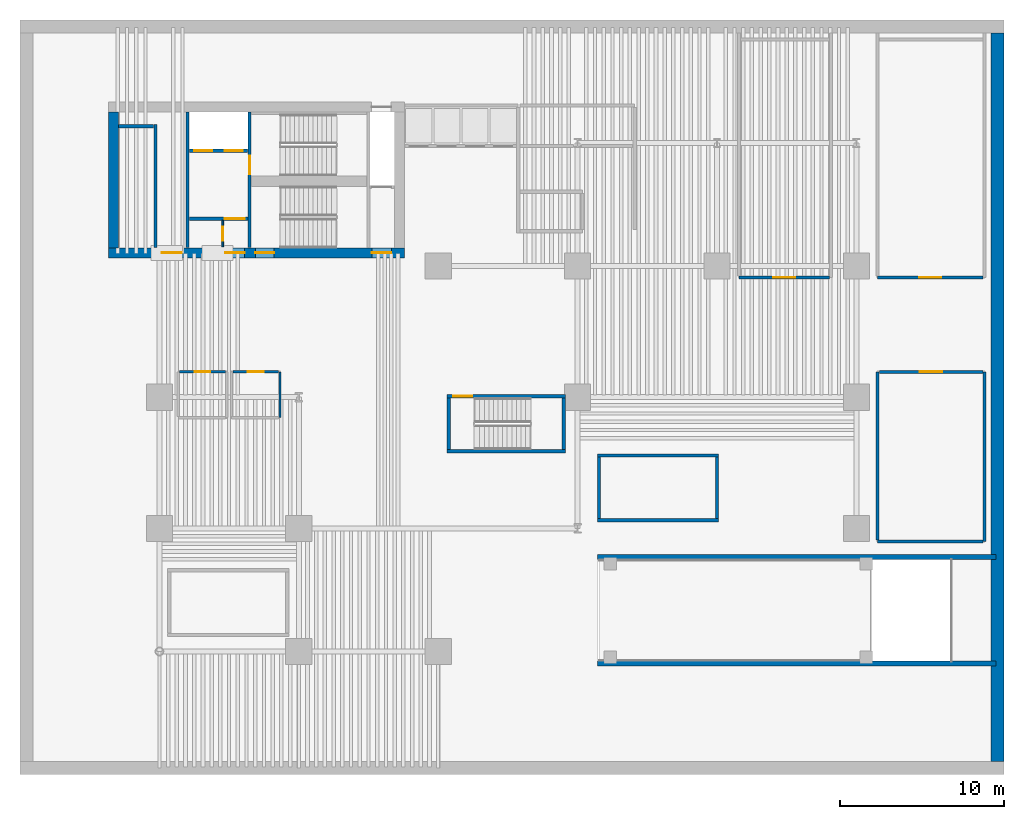
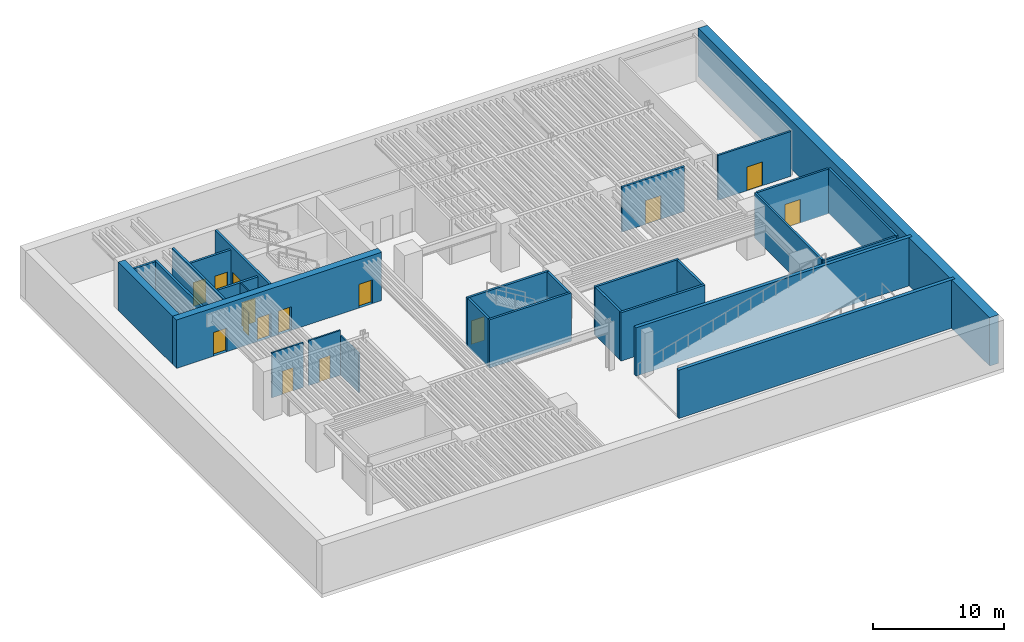
# One storey, part 3 of 10: 29 walls, 15 doors, 15 openings.
"""IFC4 building model written with IfcOpenShell, lengths in metres."""

from ifc_helpers import new_model, si_unit, direction, frame, frame_2d, origin, place, context, subcontext, project, spatial, rectangle, extrude, material, layer, layer_set, type_object, element, fill, save


model = new_model("IFC4")

# Units and contexts
model_context = context("Model", 3, precision=1e-05, world=origin(), true_north=direction((0.0, 1.0)))
body_context = subcontext(model_context, "Body", "Model", "MODEL_VIEW")
ifc_project = project(units=[si_unit("LENGTHUNIT", "METRE"), si_unit("AREAUNIT", "SQUARE_METRE"), si_unit("VOLUMEUNIT", "CUBIC_METRE"), si_unit("PLANEANGLEUNIT", "RADIAN"), si_unit("MASSUNIT", "GRAM", prefix="KILO")], contexts=[model_context])

# Site, building, storey
site_placement = place(None, origin())
site = spatial("IfcSite", under=ifc_project, at=site_placement, CompositionType="ELEMENT")
building_placement = place(site_placement, origin())
building = spatial("IfcBuilding", under=site, at=building_placement, Name="Caeloran Harvest Quay", CompositionType="ELEMENT")
storey_placement = place(building_placement, frame((0.0, 0.0, -4.5)))
storey = spatial("IfcBuildingStorey", under=building, at=storey_placement, Name="B01", CompositionType="ELEMENT", Elevation=-4.5)

# Wall, opening, door
ifc_material_1 = material(Name="Fire-Resisting Gypsum Core Riser Partition", Category="gypsum")
ifc_layer_1 = layer(ifc_material_1, 0.10009765625, Name="Fire-Resisting Gypsum Core Riser Partition")
ifc_layer_set_1 = layer_set([ifc_layer_1], Name="Fire-Resisting Gypsum Core Riser Partition")
wall_type_1 = type_object("IfcWallType", Name="INT-WALL-PW-100", PredefinedType="PARTITIONING", material=ifc_layer_set_1)
wall_1_placement = place(storey_placement, frame((12.360107421875, 32.159912109375, 0.0), z_axis=(0.0, 0.0, 1.0), x_axis=(0.0, 1.0, 0.0)))
wall_1 = element("IfcWall", 1, at=wall_1_placement, inside=storey, type_object=wall_type_1, Name="B01 Core Store Partition Wall", PredefinedType="PARTITIONING", context=body_context, shape_type="SweptSolid", body=[
    extrude(rectangle(XDim=1.6201171875, YDim=0.10009765625, at=frame_2d((0.81005859375, 0.0))), origin(), (0.0, 0.0, 1.0), 4.1650390625),
])
opening_1_placement = place(wall_1_placement, frame((0.3798828125, 0.0, 0.0)))
opening_1 = element("IfcOpeningElement", 2, at=opening_1_placement, cuts=wall_1, Name="Opening SV-01", PredefinedType="OPENING", context=body_context, shape_type="SweptSolid", body=[
    extrude(rectangle(XDim=0.85009765625, YDim=2.10009765625, at=frame_2d((0.425048828125, 1.050048828125))), frame((0.0, 0.06005859375, 0.0), z_axis=(0.0, -1.0, 0.0), x_axis=(1.0, 0.0, 0.0)), (0.0, 0.0, 1.0), 0.1201171875),
])
ifc_material_2 = material(Name="Galvanized Painted Steel", Category="steel")
door_type_1 = type_object("IfcDoorType", Name="INTDOOR-SV-01", OperationType="NOTDEFINED", PredefinedType="DOOR", material=ifc_material_2)
door_1_placement = place(opening_1_placement, origin())
door_1 = element("IfcDoor", 3, at=door_1_placement, inside=storey, type_object=door_type_1, Name="B01 Core Service Room Access Door", OperationType="SINGLE_SWING_RIGHT", OverallHeight=2.10009765625, OverallWidth=0.85009765625, PredefinedType="DOOR", context=body_context, shape_type="SweptSolid", body=[
    extrude(rectangle(XDim=0.85009765625, YDim=2.10009765625, at=frame_2d((0.425048828125, 1.050048828125))), frame((0.0, 0.02490234375, 0.0), z_axis=(0.0, -1.0, 0.0), x_axis=(1.0, 0.0, 0.0)), (0.0, 0.0, 1.0), 0.050048828125),
])
fill(opening_1, door_1)

ifc_material_3 = material(Name="Moisture-Resistant Cement-Board Sanitary Partition", Category="gypsum")
ifc_layer_2 = layer(ifc_material_3, 0.139892578125, Name="Moisture-Resistant Cement-Board Sanitary Partition")
ifc_layer_set_2 = layer_set([ifc_layer_2], Name="Moisture-Resistant Cement-Board Sanitary Partition")
wall_type_2 = type_object("IfcWallType", Name="INT-WALL-PW-140", PredefinedType="PARTITIONING", material=ifc_layer_set_2)
wall_2_placement = place(storey_placement, frame((9.72509765625, 24.550048828125, 0.0), z_axis=(0.0, 0.0, 1.0), x_axis=(1.0, 0.0, 0.0)))
wall_2 = element("IfcWall", 4, at=wall_2_placement, inside=storey, type_object=wall_type_2, Name="B01 Car Park Male Washroom WC Partition Wall", PredefinedType="PARTITIONING", context=body_context, shape_type="SweptSolid", body=[
    extrude(rectangle(XDim=2.7998046875, YDim=0.139892578125, at=frame_2d((1.39990234375, 0.0))), origin(), (0.0, 0.0, 1.0), 4.1650390625),
])
opening_2_placement = place(wall_2_placement, frame((0.925048828125, 0.0, 0.0)))
opening_2 = element("IfcOpeningElement", 5, at=opening_2_placement, cuts=wall_2, Name="Opening WC-01", PredefinedType="OPENING", context=body_context, shape_type="SweptSolid", body=[
    extrude(rectangle(XDim=0.949951171875, YDim=2.14990234375, at=frame_2d((0.47509765625, 1.074951171875))), frame((0.0, 0.080078125, 0.0), z_axis=(0.0, -1.0, 0.0), x_axis=(1.0, 0.0, 0.0)), (0.0, 0.0, 1.0), 0.159912109375),
])
ifc_material_4 = material(Name="High-Pressure Laminate Moisture-Resistant Timber", Category="wood")
door_type_2 = type_object("IfcDoorType", Name="INTDOOR-WC-01", OperationType="NOTDEFINED", PredefinedType="DOOR", material=ifc_material_4)
door_2_placement = place(opening_2_placement, origin())
door_2 = element("IfcDoor", 6, at=door_2_placement, inside=storey, type_object=door_type_2, Name="B01 Car Park Male Washroom WC Access Door", OperationType="SINGLE_SWING_RIGHT", OverallHeight=2.14990234375, OverallWidth=0.949951171875, PredefinedType="DOOR", context=body_context, shape_type="SweptSolid", body=[
    extrude(rectangle(XDim=0.949951171875, YDim=2.14990234375, at=frame_2d((0.47509765625, 1.074951171875))), frame((0.0, 0.02490234375, 0.0), z_axis=(0.0, -1.0, 0.0), x_axis=(1.0, 0.0, 0.0)), (0.0, 0.0, 1.0), 0.050048828125),
])
fill(opening_2, door_2)

# Wall
wall_3_placement = place(storey_placement, frame((15.85009765625, 24.550048828125, 0.0), z_axis=(0.0, 0.0, 1.0), x_axis=(0.0, -1.0, 0.0)))
element("IfcWall", 7, at=wall_3_placement, inside=storey, type_object=wall_type_2, Name="B01 Accessible Unisex Washroom WC Partition Wall", PredefinedType="PARTITIONING", context=body_context, shape_type="SweptSolid", body=[
    extrude(rectangle(XDim=2.800048828125, YDim=0.139892578125, at=frame_2d((1.39990234375, 0.0))), origin(), (0.0, 0.0, 1.0), 3.64990234375),
])

# Wall, opening, door
wall_4_placement = place(storey_placement, frame((12.97509765625, 24.550048828125, 0.0), z_axis=(0.0, 0.0, 1.0), x_axis=(1.0, 0.0, 0.0)))
wall_4 = element("IfcWall", 8, at=wall_4_placement, inside=storey, type_object=wall_type_2, Name="B01 Accessible Unisex Washroom WC Partition Wall", PredefinedType="PARTITIONING", context=body_context, shape_type="SweptSolid", body=[
    extrude(rectangle(XDim=2.7998046875, YDim=0.139892578125, at=frame_2d((1.39990234375, 0.0))), origin(), (0.0, 0.0, 1.0), 4.1650390625),
])
opening_3_placement = place(wall_4_placement, frame((0.925048828125, 0.0, 0.0)))
opening_3 = element("IfcOpeningElement", 9, at=opening_3_placement, cuts=wall_4, Name="Opening WC-01", PredefinedType="OPENING", context=body_context, shape_type="SweptSolid", body=[
    extrude(rectangle(XDim=0.949951171875, YDim=2.14990234375, at=frame_2d((0.47509765625, 1.074951171875))), frame((0.0, 0.080078125, 0.0), z_axis=(0.0, -1.0, 0.0), x_axis=(1.0, 0.0, 0.0)), (0.0, 0.0, 1.0), 0.159912109375),
])
door_3_placement = place(opening_3_placement, origin())
door_3 = element("IfcDoor", 10, at=door_3_placement, inside=storey, type_object=door_type_2, Name="B01 Accessible Unisex Washroom WC Access Door", OperationType="SINGLE_SWING_LEFT", OverallHeight=2.14990234375, OverallWidth=0.949951171875, PredefinedType="DOOR", context=body_context, shape_type="SweptSolid", body=[
    extrude(rectangle(XDim=0.949951171875, YDim=2.14990234375, at=frame_2d((0.47509765625, 1.074951171875))), frame((0.0, 0.02490234375, 0.0), z_axis=(0.0, -1.0, 0.0), x_axis=(1.0, 0.0, 0.0)), (0.0, 0.0, 1.0), 0.050048828125),
])
fill(opening_3, door_3)

# Walls
ifc_material_5 = material(Name="Autoclaved Aerated Concrete Blockwork", Category="masonry")
ifc_layer_3 = layer(ifc_material_5, 0.179931640625, Name="Autoclaved Aerated Concrete Blockwork")
ifc_layer_set_3 = layer_set([ifc_layer_3], Name="Autoclaved Aerated Concrete Blockwork")
wall_type_3 = type_object("IfcWallType", Name="INT-WALL-PW-180", PredefinedType="PARTITIONING", material=ifc_layer_set_3)
wall_5_placement = place(storey_placement, frame((58.800048828125, 24.550048828125, 0.0), z_axis=(0.0, 0.0, 1.0), x_axis=(0.0, -1.0, 0.0)))
element("IfcWall", 11, at=wall_5_placement, inside=storey, type_object=wall_type_3, Name="Basement Car Park Ventilation Fan Plant Partition Wall", PredefinedType="PARTITIONING", context=body_context, shape_type="SweptSolid", body=[
    extrude(rectangle(XDim=10.35009765625, YDim=0.179931640625, at=frame_2d((5.175048828125, 0.0))), origin(), (0.0, 0.0, 1.0), 4.1650390625),
])
wall_6_placement = place(storey_placement, frame((58.705078125, 14.199951171875, 0.0), z_axis=(0.0, 0.0, 1.0), x_axis=(-1.0, 0.0, 0.0)))
element("IfcWall", 12, at=wall_6_placement, inside=storey, type_object=wall_type_3, Name="Basement Car Park Ventilation Fan Plant Partition Wall", PredefinedType="PARTITIONING", context=body_context, shape_type="SweptSolid", body=[
    extrude(rectangle(XDim=6.405029296875, YDim=0.179931640625, at=frame_2d((3.20263671875, 0.0))), origin(), (0.0, 0.0, 1.0), 4.1650390625),
])
wall_7_placement = place(storey_placement, frame((52.300048828125, 14.294921875, 0.0), z_axis=(0.0, 0.0, 1.0), x_axis=(0.0, 1.0, 0.0)))
element("IfcWall", 13, at=wall_7_placement, inside=storey, type_object=wall_type_3, Name="Basement Car Park Ventilation Fan Plant Partition Wall", PredefinedType="PARTITIONING", context=body_context, shape_type="SweptSolid", body=[
    extrude(rectangle(XDim=10.255126953125, YDim=0.179931640625, at=frame_2d((5.12744140625, 0.0))), origin(), (0.0, 0.0, 1.0), 4.1650390625),
])

# Wall, opening, door
wall_8_placement = place(storey_placement, frame((52.39501953125, 24.550048828125, 0.0), z_axis=(0.0, 0.0, 1.0), x_axis=(1.0, 0.0, 0.0)))
wall_8 = element("IfcWall", 14, at=wall_8_placement, inside=storey, type_object=wall_type_3, Name="Basement Car Park Ventilation Fan Plant Partition Wall", PredefinedType="PARTITIONING", context=body_context, shape_type="SweptSolid", body=[
    extrude(rectangle(XDim=6.31005859375, YDim=0.179931640625, at=frame_2d((3.155029296875, 0.0))), origin(), (0.0, 0.0, 1.0), 4.1650390625),
])
opening_4_placement = place(wall_8_placement, frame((2.47998046875, 0.0, 0.0)))
opening_4 = element("IfcOpeningElement", 15, at=opening_4_placement, cuts=wall_8, Name="Opening ID-02", PredefinedType="OPENING", context=body_context, shape_type="SweptSolid", body=[
    extrude(rectangle(XDim=1.35009765625, YDim=2.199951171875, at=frame_2d((0.675048828125, 1.10009765625))), frame((0.0, 0.10009765625, 0.0), z_axis=(0.0, -1.0, 0.0), x_axis=(1.0, 0.0, 0.0)), (0.0, 0.0, 1.0), 0.199951171875),
])
ifc_material_6 = material(Name="Powder-Coated Steel Acoustic Leaf", Category="steel")
door_type_3 = type_object("IfcDoorType", Name="INTDOOR-ID-02", OperationType="NOTDEFINED", PredefinedType="DOOR", material=ifc_material_6)
door_4_placement = place(opening_4_placement, origin())
door_4 = element("IfcDoor", 16, at=door_4_placement, inside=storey, type_object=door_type_3, Name="Basement Car Park Ventilation Fan Plant Access Door", OperationType="SINGLE_SWING_RIGHT", OverallHeight=2.199951171875, OverallWidth=1.35009765625, PredefinedType="DOOR", context=body_context, shape_type="SweptSolid", body=[
    extrude(rectangle(XDim=1.35009765625, YDim=2.199951171875, at=frame_2d((0.675048828125, 1.10009765625))), frame((0.0, 0.02490234375, 0.0), z_axis=(0.0, -1.0, 0.0), x_axis=(1.0, 0.0, 0.0)), (0.0, 0.0, 1.0), 0.050048828125),
])
fill(opening_4, door_4)

wall_9_placement = place(storey_placement, frame((58.705078125, 30.300048828125, 0.0), z_axis=(0.0, 0.0, 1.0), x_axis=(-1.0, 0.0, 0.0)))
wall_9 = element("IfcWall", 17, at=wall_9_placement, inside=storey, type_object=wall_type_3, Name="EV Fast-Charging Switchgear Room Partition Wall", PredefinedType="PARTITIONING", context=body_context, shape_type="SweptSolid", body=[
    extrude(rectangle(XDim=6.405029296875, YDim=0.179931640625, at=frame_2d((3.20263671875, 0.0))), origin(), (0.0, 0.0, 1.0), 4.1650390625),
])
opening_5_placement = place(wall_9_placement, frame((2.527587890625, 0.0, 0.0)))
opening_5 = element("IfcOpeningElement", 18, at=opening_5_placement, cuts=wall_9, Name="Opening ID-02", PredefinedType="OPENING", context=body_context, shape_type="SweptSolid", body=[
    extrude(rectangle(XDim=1.35009765625, YDim=2.199951171875, at=frame_2d((0.675048828125, 1.10009765625))), frame((0.0, 0.10009765625, 0.0), z_axis=(0.0, -1.0, 0.0), x_axis=(1.0, 0.0, 0.0)), (0.0, 0.0, 1.0), 0.199951171875),
])
door_5_placement = place(opening_5_placement, origin())
door_5 = element("IfcDoor", 19, at=door_5_placement, inside=storey, type_object=door_type_3, Name="EV Fast-Charging Switchgear Room Access Door", OperationType="SINGLE_SWING_LEFT", OverallHeight=2.199951171875, OverallWidth=1.35009765625, PredefinedType="DOOR", context=body_context, shape_type="SweptSolid", body=[
    extrude(rectangle(XDim=1.35009765625, YDim=2.199951171875, at=frame_2d((0.675048828125, 1.10009765625))), frame((0.0, 0.02490234375, 0.0), z_axis=(0.0, -1.0, 0.0), x_axis=(1.0, 0.0, 0.0)), (0.0, 0.0, 1.0), 0.050048828125),
])
fill(opening_5, door_5)

wall_10_placement = place(storey_placement, frame((49.35498046875, 30.300048828125, 0.0), z_axis=(0.0, 0.0, 1.0), x_axis=(-1.0, 0.0, 0.0)))
wall_10 = element("IfcWall", 20, at=wall_10_placement, inside=storey, type_object=wall_type_3, Name="Bicycle Parking and Shower Changing Room Partition Wall", PredefinedType="PARTITIONING", context=body_context, shape_type="SweptSolid", body=[
    extrude(rectangle(XDim=5.5048828125, YDim=0.179931640625, at=frame_2d((2.75244140625, 0.0))), origin(), (0.0, 0.0, 1.0), 4.1650390625),
])
opening_6_placement = place(wall_10_placement, frame((2.077392578125, 0.0, 0.0)))
opening_6 = element("IfcOpeningElement", 21, at=opening_6_placement, cuts=wall_10, Name="Opening ID-02", PredefinedType="OPENING", context=body_context, shape_type="SweptSolid", body=[
    extrude(rectangle(XDim=1.35009765625, YDim=2.199951171875, at=frame_2d((0.675048828125, 1.10009765625))), frame((0.0, 0.10009765625, 0.0), z_axis=(0.0, -1.0, 0.0), x_axis=(1.0, 0.0, 0.0)), (0.0, 0.0, 1.0), 0.199951171875),
])
door_6_placement = place(opening_6_placement, origin())
door_6 = element("IfcDoor", 22, at=door_6_placement, inside=storey, type_object=door_type_3, Name="Bicycle Parking and Shower Changing Room Access Door", OperationType="SINGLE_SWING_RIGHT", OverallHeight=2.199951171875, OverallWidth=1.35009765625, PredefinedType="DOOR", context=body_context, shape_type="SweptSolid", body=[
    extrude(rectangle(XDim=1.35009765625, YDim=2.199951171875, at=frame_2d((0.675048828125, 1.10009765625))), frame((0.0, 0.02490234375, 0.0), z_axis=(0.0, -1.0, 0.0), x_axis=(1.0, 0.0, 0.0)), (0.0, 0.0, 1.0), 0.050048828125),
])
fill(opening_6, door_6)

# Walls
ifc_material_7 = material(Name="Concrete C50/60", Category="concrete")
ifc_layer_4 = layer(ifc_material_7, 0.199951171875, Name="Concrete C50/60")
ifc_layer_set_4 = layer_set([ifc_layer_4], Name="Concrete C50/60")
wall_type_4 = type_object("IfcWallType", Name="INT-WALL-SW-200", PredefinedType="PARTITIONING", material=ifc_layer_set_4)
wall_11_placement = place(storey_placement, frame((8.260009765625, 32.1201171875, 0.0), z_axis=(0.0, 0.0, 1.0), x_axis=(0.0, 1.0, 0.0)))
element("IfcWall", 23, at=wall_11_placement, inside=storey, type_object=wall_type_4, Name="B01 Bank 3 Lift Shaft Wall", PredefinedType="PARTITIONING", context=body_context, shape_type="SweptSolid", body=[
    extrude(rectangle(XDim=7.5, YDim=0.199951171875, at=frame_2d((3.75, 0.0))), origin(), (0.0, 0.0, 1.0), 4.1650390625),
])
wall_12_placement = place(storey_placement, frame((6.02001953125, 39.52001953125, 0.0), z_axis=(0.0, 0.0, 1.0), x_axis=(1.0, 0.0, 0.0)))
element("IfcWall", 24, at=wall_12_placement, inside=storey, type_object=wall_type_4, Name="B01 Bank 3 Lift Shaft North End Wall", PredefinedType="PARTITIONING", context=body_context, shape_type="SweptSolid", body=[
    extrude(rectangle(XDim=2.119873046875, YDim=0.199951171875, at=frame_2d((1.06005859375, 0.0))), origin(), (0.0, 0.0, 1.0), 4.1650390625),
])
wall_13_placement = place(storey_placement, frame((10.219970703125, 32.1201171875, 0.0), z_axis=(0.0, 0.0, 1.0), x_axis=(0.0, 1.0, 0.0)))
element("IfcWall", 25, at=wall_13_placement, inside=storey, type_object=wall_type_4, Name="B01 Core Lobby Compartment Wall", PredefinedType="PARTITIONING", context=body_context, shape_type="SweptSolid", body=[
    extrude(rectangle(XDim=8.259765625, YDim=0.199951171875, at=frame_2d((4.1298828125, 0.0))), origin(), (0.0, 0.0, 1.0), 4.1650390625),
])

# Wall, openings, doors
wall_14_placement = place(storey_placement, frame((10.340087890625, 38.02001953125, 0.0), z_axis=(0.0, 0.0, 1.0), x_axis=(1.0, 0.0, 0.0)))
wall_14 = element("IfcWall", 26, at=wall_14_placement, inside=storey, type_object=wall_type_4, Name="B01 Firefighting Lift Shaft Wall", PredefinedType="PARTITIONING", context=body_context, shape_type="SweptSolid", body=[
    extrude(rectangle(XDim=3.539794921875, YDim=0.199951171875, at=frame_2d((1.77001953125, 0.0))), origin(), (0.0, 0.0, 1.0), 4.1650390625),
])
opening_7_placement = place(wall_14_placement, frame((0.284912109375, 0.0, 0.0)))
opening_7 = element("IfcOpeningElement", 27, at=opening_7_placement, cuts=wall_14, Name="Opening LD-01", PredefinedType="OPENING", context=body_context, shape_type="SweptSolid", body=[
    extrude(rectangle(XDim=1.10009765625, YDim=2.199951171875, at=frame_2d((0.550048828125, 1.10009765625))), frame((0.0, 0.10986328125, 0.0), z_axis=(0.0, -1.0, 0.0), x_axis=(1.0, 0.0, 0.0)), (0.0, 0.0, 1.0), 0.219970703125),
])
opening_8_placement = place(wall_14_placement, frame((2.135009765625, 0.0, 0.0)))
opening_8 = element("IfcOpeningElement", 28, at=opening_8_placement, cuts=wall_14, Name="Opening LD-01", PredefinedType="OPENING", context=body_context, shape_type="SweptSolid", body=[
    extrude(rectangle(XDim=1.10009765625, YDim=2.199951171875, at=frame_2d((0.550048828125, 1.10009765625))), frame((0.0, 0.10986328125, 0.0), z_axis=(0.0, -1.0, 0.0), x_axis=(1.0, 0.0, 0.0)), (0.0, 0.0, 1.0), 0.219970703125),
])
ifc_material_8 = material(Name="Stainless Steel Grade 316", Category="steel")
door_type_4 = type_object("IfcDoorType", Name="INTDOOR-LD-01", OperationType="NOTDEFINED", PredefinedType="DOOR", material=ifc_material_8)
door_7_placement = place(opening_7_placement, origin())
door_7 = element("IfcDoor", 29, at=door_7_placement, inside=storey, type_object=door_type_4, Name="Lift FF-1 Sliding Landing Door (B01)", OperationType="DOUBLE_DOOR_SLIDING", OverallHeight=2.199951171875, OverallWidth=1.10009765625, PredefinedType="DOOR", context=body_context, shape_type="SweptSolid", body=[
    extrude(rectangle(XDim=1.10009765625, YDim=2.199951171875, at=frame_2d((0.550048828125, 1.10009765625))), frame((0.0, 0.02490234375, 0.0), z_axis=(0.0, -1.0, 0.0), x_axis=(1.0, 0.0, 0.0)), (0.0, 0.0, 1.0), 0.050048828125),
])
fill(opening_7, door_7)
door_8_placement = place(opening_8_placement, origin())
door_8 = element("IfcDoor", 30, at=door_8_placement, inside=storey, type_object=door_type_4, Name="Lift FF-2 Sliding Landing Door (B01)", OperationType="DOUBLE_DOOR_SLIDING", OverallHeight=2.199951171875, OverallWidth=1.10009765625, PredefinedType="DOOR", context=body_context, shape_type="SweptSolid", body=[
    extrude(rectangle(XDim=1.10009765625, YDim=2.199951171875, at=frame_2d((0.550048828125, 1.10009765625))), frame((0.0, 0.02490234375, 0.0), z_axis=(0.0, -1.0, 0.0), x_axis=(1.0, 0.0, 0.0)), (0.0, 0.0, 1.0), 0.050048828125),
])
fill(opening_8, door_8)

# Wall, opening, door
wall_15_placement = place(storey_placement, frame((10.340087890625, 33.8798828125, 0.0), z_axis=(0.0, 0.0, 1.0), x_axis=(1.0, 0.0, 0.0)))
wall_15 = element("IfcWall", 31, at=wall_15_placement, inside=storey, type_object=wall_type_4, Name="B01 Firefighting Lift Lobby Enclosure Wall", PredefinedType="PARTITIONING", context=body_context, shape_type="SweptSolid", body=[
    extrude(rectangle(XDim=3.559814453125, YDim=0.199951171875, at=frame_2d((1.77978515625, 0.0))), origin(), (0.0, 0.0, 1.0), 4.1650390625),
])
opening_9_placement = place(wall_15_placement, frame((2.14990234375, 0.0, 0.0)))
opening_9 = element("IfcOpeningElement", 32, at=opening_9_placement, cuts=wall_15, Name="Opening FD-01", PredefinedType="OPENING", context=body_context, shape_type="SweptSolid", body=[
    extrude(rectangle(XDim=1.199951171875, YDim=2.199951171875, at=frame_2d((0.60009765625, 1.10009765625))), frame((0.0, 0.10986328125, 0.0), z_axis=(0.0, -1.0, 0.0), x_axis=(1.0, 0.0, 0.0)), (0.0, 0.0, 1.0), 0.219970703125),
])
ifc_material_9 = material(Name="Steel", Category="steel")
door_type_5 = type_object("IfcDoorType", Name="INTDOOR-FD-01", OperationType="NOTDEFINED", PredefinedType="DOOR", material=ifc_material_9)
door_9_placement = place(opening_9_placement, origin())
door_9 = element("IfcDoor", 33, at=door_9_placement, inside=storey, type_object=door_type_5, Name="B01 Firefighting Lift Lobby Smoke-Seal Fire Door", OperationType="SINGLE_SWING_RIGHT", OverallHeight=2.199951171875, OverallWidth=1.199951171875, PredefinedType="DOOR", context=body_context, shape_type="SweptSolid", body=[
    extrude(rectangle(XDim=1.199951171875, YDim=2.199951171875, at=frame_2d((0.60009765625, 1.10009765625))), frame((0.0, 0.02490234375, 0.0), z_axis=(0.0, -1.0, 0.0), x_axis=(1.0, 0.0, 0.0)), (0.0, 0.0, 1.0), 0.050048828125),
])
fill(opening_9, door_9)

# Wall, openings, doors
ifc_material_10 = material(Name="Concrete C80/95", Category="concrete")
ifc_layer_5 = layer(ifc_material_10, 0.60009765625, Name="Concrete C80/95")
ifc_layer_set_5 = layer_set([ifc_layer_5], Name="Concrete C80/95")
wall_type_5 = type_object("IfcWallType", Name="STR-WALL-CW-600", PredefinedType="SHEAR", material=ifc_layer_set_5)
wall_16_placement = place(storey_placement, frame((5.39990234375, 31.800048828125, 0.0), z_axis=(0.0, 0.0, 1.0), x_axis=(1.0, 0.0, 0.0)))
wall_16 = element("IfcWall", 34, at=wall_16_placement, inside=storey, type_object=wall_type_5, Name="B01 Rear Core Shear Wall S", PredefinedType="SHEAR", context=body_context, shape_type="SweptSolid", body=[
    extrude(rectangle(XDim=18.050048828125, YDim=0.60009765625, at=frame_2d((9.02490234375, 0.0))), origin(), (0.0, 0.0, 1.0), 4.5),
])
opening_10_placement = place(wall_16_placement, frame((3.25, 0.0, 0.0)))
opening_10 = element("IfcOpeningElement", 35, at=opening_10_placement, cuts=wall_16, Name="Opening FD-01", PredefinedType="OPENING", context=body_context, shape_type="SweptSolid", body=[
    extrude(rectangle(XDim=1.199951171875, YDim=2.199951171875, at=frame_2d((0.60009765625, 1.10009765625))), frame((0.0, 0.31005859375, 0.0), z_axis=(0.0, -1.0, 0.0), x_axis=(1.0, 0.0, 0.0)), (0.0, 0.0, 1.0), 0.6201171875),
])
opening_11_placement = place(wall_16_placement, frame((7.10009765625, 0.0, 0.0)))
opening_11 = element("IfcOpeningElement", 36, at=opening_11_placement, cuts=wall_16, Name="Opening FD-01", PredefinedType="OPENING", context=body_context, shape_type="SweptSolid", body=[
    extrude(rectangle(XDim=1.199951171875, YDim=2.199951171875, at=frame_2d((0.60009765625, 1.10009765625))), frame((0.0, 0.31005859375, 0.0), z_axis=(0.0, -1.0, 0.0), x_axis=(1.0, 0.0, 0.0)), (0.0, 0.0, 1.0), 0.6201171875),
])
opening_12_placement = place(wall_16_placement, frame((8.949951171875, 0.0, 0.0)))
opening_12 = element("IfcOpeningElement", 37, at=opening_12_placement, cuts=wall_16, Name="Opening SD-01", PredefinedType="OPENING", context=body_context, shape_type="SweptSolid", body=[
    extrude(rectangle(XDim=1.14990234375, YDim=2.199951171875, at=frame_2d((0.574951171875, 1.10009765625))), frame((0.0, 0.31005859375, 0.0), z_axis=(0.0, -1.0, 0.0), x_axis=(1.0, 0.0, 0.0)), (0.0, 0.0, 1.0), 0.6201171875),
])
opening_13_placement = place(wall_16_placement, frame((16.050048828125, 0.0, 0.0)))
opening_13 = element("IfcOpeningElement", 38, at=opening_13_placement, cuts=wall_16, Name="Opening FD-01", PredefinedType="OPENING", context=body_context, shape_type="SweptSolid", body=[
    extrude(rectangle(XDim=1.199951171875, YDim=2.199951171875, at=frame_2d((0.60009765625, 1.10009765625))), frame((0.0, 0.31005859375, 0.0), z_axis=(0.0, -1.0, 0.0), x_axis=(1.0, 0.0, 0.0)), (0.0, 0.0, 1.0), 0.6201171875),
])
door_10_placement = place(opening_10_placement, origin())
door_10 = element("IfcDoor", 39, at=door_10_placement, inside=storey, type_object=door_type_5, Name="B01 High-Rise Lift Lobby Fire Door", OperationType="SINGLE_SWING_RIGHT", OverallHeight=2.199951171875, OverallWidth=1.199951171875, PredefinedType="DOOR", context=body_context, shape_type="SweptSolid", body=[
    extrude(rectangle(XDim=1.199951171875, YDim=2.199951171875, at=frame_2d((0.60009765625, 1.10009765625))), frame((0.0, 0.02490234375, 0.0), z_axis=(0.0, -1.0, 0.0), x_axis=(1.0, 0.0, 0.0)), (0.0, 0.0, 1.0), 0.050048828125),
])
fill(opening_10, door_10)
door_11_placement = place(opening_11_placement, origin())
door_11 = element("IfcDoor", 40, at=door_11_placement, inside=storey, type_object=door_type_5, Name="B01 Firefighting Lobby Vestibule Fire Door", OperationType="SINGLE_SWING_LEFT", OverallHeight=2.199951171875, OverallWidth=1.199951171875, PredefinedType="DOOR", context=body_context, shape_type="SweptSolid", body=[
    extrude(rectangle(XDim=1.199951171875, YDim=2.199951171875, at=frame_2d((0.60009765625, 1.10009765625))), frame((0.0, 0.02490234375, 0.0), z_axis=(0.0, -1.0, 0.0), x_axis=(1.0, 0.0, 0.0)), (0.0, 0.0, 1.0), 0.050048828125),
])
fill(opening_11, door_11)
door_12_placement = place(opening_13_placement, origin())
door_12 = element("IfcDoor", 41, at=door_12_placement, inside=storey, type_object=door_type_5, Name="B01 Service Lift Lobby Fire Door", OperationType="SINGLE_SWING_LEFT", OverallHeight=2.199951171875, OverallWidth=1.199951171875, PredefinedType="DOOR", context=body_context, shape_type="SweptSolid", body=[
    extrude(rectangle(XDim=1.199951171875, YDim=2.199951171875, at=frame_2d((0.60009765625, 1.10009765625))), frame((0.0, 0.02490234375, 0.0), z_axis=(0.0, -1.0, 0.0), x_axis=(1.0, 0.0, 0.0)), (0.0, 0.0, 1.0), 0.050048828125),
])
fill(opening_13, door_12)
door_type_6 = type_object("IfcDoorType", Name="INTDOOR-SD-01", OperationType="NOTDEFINED", PredefinedType="DOOR", material=ifc_material_9)
door_13_placement = place(opening_12_placement, origin())
door_13 = element("IfcDoor", 42, at=door_13_placement, inside=storey, type_object=door_type_6, Name="B01 Protected Stair ST-C2 Exit Door", OperationType="SINGLE_SWING_RIGHT", OverallHeight=2.199951171875, OverallWidth=1.14990234375, PredefinedType="DOOR", context=body_context, shape_type="SweptSolid", body=[
    extrude(rectangle(XDim=1.14990234375, YDim=2.199951171875, at=frame_2d((0.574951171875, 1.10009765625))), frame((0.0, 0.02490234375, 0.0), z_axis=(0.0, -1.0, 0.0), x_axis=(1.0, 0.0, 0.0)), (0.0, 0.0, 1.0), 0.050048828125),
])
fill(opening_12, door_13)

# Walls
wall_17_placement = place(storey_placement, frame((5.699951171875, 32.10009765625, 0.0), z_axis=(0.0, 0.0, 1.0), x_axis=(0.0, 1.0, 0.0)))
element("IfcWall", 43, at=wall_17_placement, inside=storey, type_object=wall_type_5, Name="B01 Rear Core Shear Wall W", PredefinedType="SHEAR", context=body_context, shape_type="SweptSolid", body=[
    extrude(rectangle(XDim=8.2998046875, YDim=0.60009765625, at=frame_2d((4.14990234375, 0.0))), origin(), (0.0, 0.0, 1.0), 4.5),
])
ifc_material_11 = material(Name="Concrete C60/75", Category="concrete")
ifc_layer_6 = layer(ifc_material_11, 0.800048828125, Name="Concrete C60/75")
ifc_layer_set_6 = layer_set([ifc_layer_6], Name="Concrete C60/75")
wall_type_6 = type_object("IfcWallType", Name="STR-WALL-DW-800", PredefinedType="USERDEFINED", material=ifc_layer_set_6)
wall_18_placement = place(storey_placement, frame((59.60009765625, 0.800048828125, 0.0), z_axis=(0.0, 0.0, 1.0), x_axis=(0.0, 1.0, 0.0)))
element("IfcWall", 44, at=wall_18_placement, inside=storey, type_object=wall_type_6, Name="B01 Basement Diaphragm Retaining Wall E 800 mm", ObjectType="RETAININGWALL", PredefinedType="USERDEFINED", context=body_context, shape_type="SweptSolid", body=[
    extrude(rectangle(XDim=44.39990234375, YDim=0.800048828125, at=frame_2d((22.199951171875, 0.0))), origin(), (0.0, 0.0, 1.0), 4.5),
])
ifc_layer_7 = layer(ifc_material_11, 0.300048828125, Name="Concrete C60/75")
ifc_layer_set_7 = layer_set([ifc_layer_7], Name="Concrete C60/75")
wall_type_7 = type_object("IfcWallType", Name="STR-WALL-RW-300", PredefinedType="SOLIDWALL", material=ifc_layer_set_7)
for number, where, z_axis, x_axis, name in (
    (45, (35.199951171875, 6.75, 0.0), (0.0, 0.0, 1.0), (1.0, 0.0, 0.0), "B01 Vehicle Ramp Enclosure Wall S"),
    (46, (35.199951171875, 13.25, 0.0), (0.0, 0.0, 1.0), (1.0, 0.0, 0.0), "B01 Vehicle Ramp Enclosure Wall N"),
):
    element("IfcWall", number, at=place(storey_placement, frame(where, z_axis=z_axis, x_axis=x_axis)), inside=storey, type_object=wall_type_7, Name=name, PredefinedType="SOLIDWALL", context=body_context, shape_type="SweptSolid", body=[
        extrude(rectangle(XDim=24.300048828125, YDim=0.300048828125, at=frame_2d((12.14990234375, 0.0))), origin(), (0.0, 0.0, 1.0), 4.5),
    ])

# Wall, opening, door
ifc_layer_8 = layer(ifc_material_11, 0.199951171875, Name="Concrete C60/75")
ifc_layer_set_8 = layer_set([ifc_layer_8], Name="Concrete C60/75")
wall_type_8 = type_object("IfcWallType", Name="STR-WALL-SW-200", PredefinedType="SHEAR", material=ifc_layer_set_8)
wall_19_placement = place(storey_placement, frame((14.0, 32.1201171875, 0.0), z_axis=(0.0, 0.0, 1.0), x_axis=(0.0, 1.0, 0.0)))
wall_19 = element("IfcWall", 47, at=wall_19_placement, inside=storey, type_object=wall_type_8, Name="B01 Core Stair Shaft West Shear Wall", PredefinedType="SHEAR", context=body_context, shape_type="SweptSolid", body=[
    extrude(rectangle(XDim=8.259765625, YDim=0.199951171875, at=frame_2d((4.1298828125, 0.0))), origin(), (0.0, 0.0, 1.0), 4.5),
])
opening_14_placement = place(wall_19_placement, frame((4.4599609375, 0.0, 0.0)))
opening_14 = element("IfcOpeningElement", 48, at=opening_14_placement, cuts=wall_19, Name="Opening SD-01", PredefinedType="OPENING", context=body_context, shape_type="SweptSolid", body=[
    extrude(rectangle(XDim=1.14990234375, YDim=2.199951171875, at=frame_2d((0.574951171875, 1.10009765625))), frame((0.0, 0.10986328125, 0.0), z_axis=(0.0, -1.0, 0.0), x_axis=(1.0, 0.0, 0.0)), (0.0, 0.0, 1.0), 0.219970703125),
])
door_14_placement = place(opening_14_placement, origin())
door_14 = element("IfcDoor", 49, at=door_14_placement, inside=storey, type_object=door_type_6, Name="B01 Protected Stair ST-C1 Exit Door", OperationType="SINGLE_SWING_LEFT", OverallHeight=2.199951171875, OverallWidth=1.14990234375, PredefinedType="DOOR", context=body_context, shape_type="SweptSolid", body=[
    extrude(rectangle(XDim=1.14990234375, YDim=2.199951171875, at=frame_2d((0.574951171875, 1.10009765625))), frame((0.0, 0.02490234375, 0.0), z_axis=(0.0, -1.0, 0.0), x_axis=(1.0, 0.0, 0.0)), (0.0, 0.0, 1.0), 0.050048828125),
])
fill(opening_14, door_14)

# Wall
wall_20_placement = place(storey_placement, frame((26.050048828125, 19.699951171875, 0.0), z_axis=(0.0, 0.0, 1.0), x_axis=(1.0, 0.0, 0.0)))
element("IfcWall", 50, at=wall_20_placement, inside=storey, type_object=wall_type_8, Name="B01 Stair ST-W1 S RC Shaft Shear Wall", PredefinedType="SHEAR", context=body_context, shape_type="SweptSolid", body=[
    extrude(rectangle(XDim=7.199951171875, YDim=0.199951171875, at=frame_2d((3.60009765625, 0.0))), origin(), (0.0, 0.0, 1.0), 4.5),
])

# Wall, opening, door
wall_21_placement = place(storey_placement, frame((26.050048828125, 23.050048828125, 0.0), z_axis=(0.0, 0.0, 1.0), x_axis=(1.0, 0.0, 0.0)))
wall_21 = element("IfcWall", 51, at=wall_21_placement, inside=storey, type_object=wall_type_8, Name="B01 Stair ST-W1 N RC Shaft Shear Wall", PredefinedType="SHEAR", context=body_context, shape_type="SweptSolid", body=[
    extrude(rectangle(XDim=7.199951171875, YDim=0.199951171875, at=frame_2d((3.60009765625, 0.0))), origin(), (0.0, 0.0, 1.0), 4.5),
])
opening_15_placement = place(wall_21_placement, frame((0.3798828125, 0.0, 0.0)))
opening_15 = element("IfcOpeningElement", 52, at=opening_15_placement, cuts=wall_21, Name="Opening SD-01", PredefinedType="OPENING", context=body_context, shape_type="SweptSolid", body=[
    extrude(rectangle(XDim=1.14990234375, YDim=2.199951171875, at=frame_2d((0.574951171875, 1.10009765625))), frame((0.0, 0.10986328125, 0.0), z_axis=(0.0, -1.0, 0.0), x_axis=(1.0, 0.0, 0.0)), (0.0, 0.0, 1.0), 0.219970703125),
])
door_15_placement = place(opening_15_placement, origin())
door_15 = element("IfcDoor", 53, at=door_15_placement, inside=storey, type_object=door_type_6, Name="B01 Protected Exit Stair ST-W1 Fire Door", OperationType="SINGLE_SWING_LEFT", OverallHeight=2.199951171875, OverallWidth=1.14990234375, PredefinedType="DOOR", context=body_context, shape_type="SweptSolid", body=[
    extrude(rectangle(XDim=1.14990234375, YDim=2.199951171875, at=frame_2d((0.574951171875, 1.10009765625))), frame((0.0, 0.02490234375, 0.0), z_axis=(0.0, -1.0, 0.0), x_axis=(1.0, 0.0, 0.0)), (0.0, 0.0, 1.0), 0.050048828125),
])
fill(opening_15, door_15)

# Walls
for number, where, z_axis, x_axis, name in (
    (54, (26.14990234375, 19.81005859375, 0.0), (0.0, 0.0, 1.0), (0.0, 1.0, 0.0), "B01 Stair ST-W1 W RC Shaft Shear Wall"),
    (55, (33.14990234375, 19.81005859375, 0.0), (0.0, 0.0, 1.0), (0.0, 1.0, 0.0), "B01 Stair ST-W1 E RC Shaft Shear Wall"),
):
    element("IfcWall", number, at=place(storey_placement, frame(where, z_axis=z_axis, x_axis=x_axis)), inside=storey, type_object=wall_type_8, Name=name, PredefinedType="SHEAR", context=body_context, shape_type="SweptSolid", body=[
        extrude(rectangle(XDim=3.1298828125, YDim=0.199951171875, at=frame_2d((1.56494140625, 0.0))), origin(), (0.0, 0.0, 1.0), 4.5),
    ])
for number, where, z_axis, x_axis, name in (
    (56, (35.199951171875, 15.5, 0.0), (0.0, 0.0, 1.0), (1.0, 0.0, 0.0), "B01 Stair ST-P2 S RC Shaft Shear Wall"),
    (57, (35.199951171875, 19.449951171875, 0.0), (0.0, 0.0, 1.0), (1.0, 0.0, 0.0), "B01 Stair ST-P2 N RC Shaft Shear Wall"),
):
    element("IfcWall", number, at=place(storey_placement, frame(where, z_axis=z_axis, x_axis=x_axis)), inside=storey, type_object=wall_type_8, Name=name, PredefinedType="SHEAR", context=body_context, shape_type="SweptSolid", body=[
        extrude(rectangle(XDim=7.400146484375, YDim=0.199951171875, at=frame_2d((3.7001953125, 0.0))), origin(), (0.0, 0.0, 1.0), 4.5),
    ])
for number, where, z_axis, x_axis, name in (
    (58, (35.300048828125, 15.610107421875, 0.0), (0.0, 0.0, 1.0), (0.0, 1.0, 0.0), "B01 Stair ST-P2 W RC Shaft Shear Wall"),
    (59, (42.5, 15.610107421875, 0.0), (0.0, 0.0, 1.0), (0.0, 1.0, 0.0), "B01 Stair ST-P2 E RC Shaft Shear Wall"),
):
    element("IfcWall", number, at=place(storey_placement, frame(where, z_axis=z_axis, x_axis=x_axis)), inside=storey, type_object=wall_type_8, Name=name, PredefinedType="SHEAR", context=body_context, shape_type="SweptSolid", body=[
        extrude(rectangle(XDim=3.72998046875, YDim=0.199951171875, at=frame_2d((1.864990234375, 0.0))), origin(), (0.0, 0.0, 1.0), 4.5),
    ])

save(model, "model.ifc")
